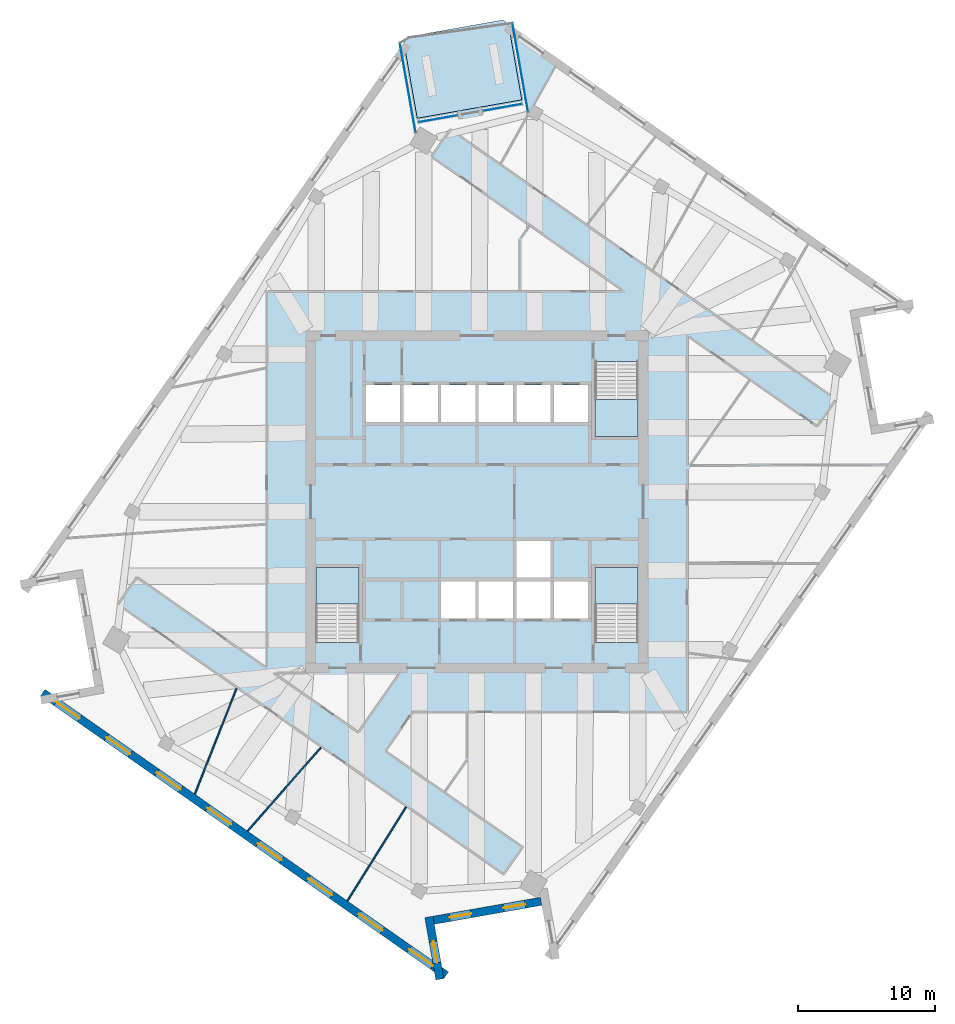
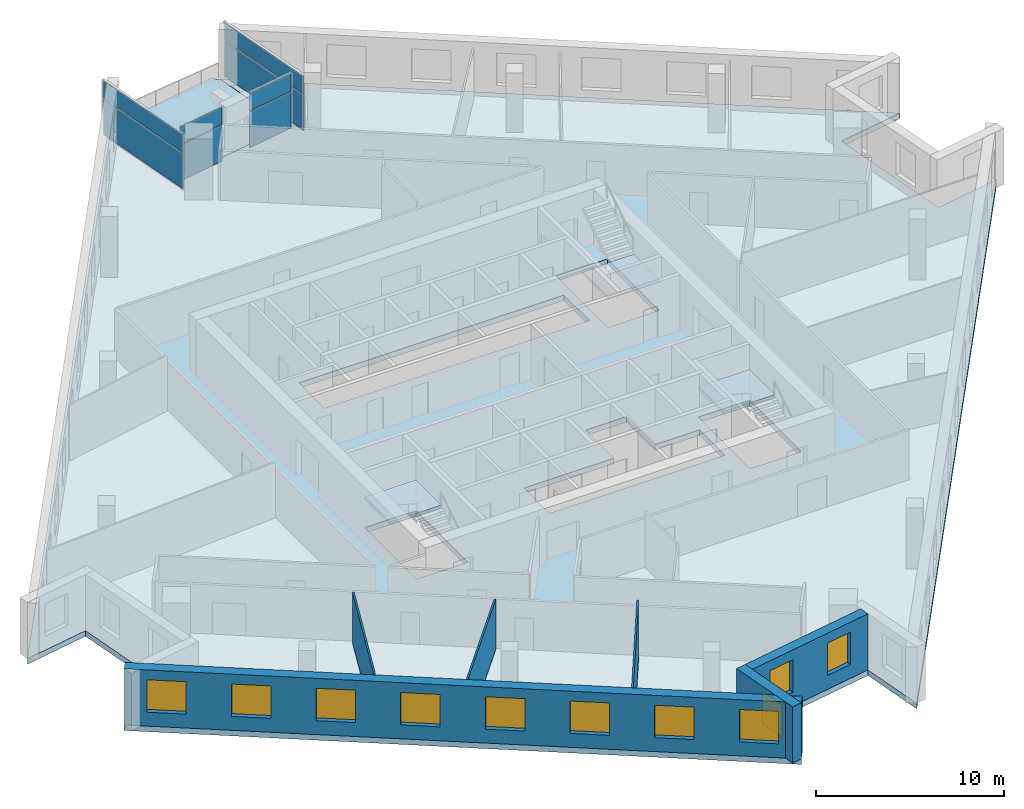
# One storey, part 5 of 13: 11 windows, 8 plates, 6 walls, 5 slabs, 11 openings, 7 elements without a shape of their own.
"""IFC4 building model written with IfcOpenShell, lengths in metres."""

from ifc_helpers import new_model, si_unit, direction, frame, frame_2d, origin, origin_2d, place, context, subcontext, project, spatial, polyline, rectangle, outline, extrude, material, layer, layer_set, type_object, element, fill, aggregate, save


model = new_model("IFC4")

# Units and contexts
model_context = context("Model", 3, precision=1e-05, world=origin(), true_north=direction((0.0, 1.0)))
body_context = subcontext(model_context, "Body", "Model", "MODEL_VIEW")
ifc_project = project(units=[si_unit("LENGTHUNIT", "METRE"), si_unit("AREAUNIT", "SQUARE_METRE"), si_unit("VOLUMEUNIT", "CUBIC_METRE"), si_unit("PLANEANGLEUNIT", "RADIAN"), si_unit("MASSUNIT", "GRAM", prefix="KILO")], contexts=[model_context])

# Site, building, storey
site_placement = place(None, origin())
site = spatial("IfcSite", under=ifc_project, at=site_placement, CompositionType="ELEMENT")
building_placement = place(site_placement, origin())
building = spatial("IfcBuilding", under=site, at=building_placement, Name="Dilmun Exchange Tower", CompositionType="ELEMENT")
storey_placement = place(building_placement, frame((0.0, 0.0, 246.89990234375)))
storey = spatial("IfcBuildingStorey", under=building, at=storey_placement, Name="L58", CompositionType="ELEMENT", Elevation=246.89990234375)

# Stair, slab
ifc_material_1 = material(Name="Concrete C40/50", Category="concrete")
stair_type = type_object("IfcStairType", Name="Exit stair 1500 half-turn", PredefinedType="HALF_TURN_STAIR", material=ifc_material_1)
stair_1_placement = place(storey_placement, origin())
stair_1 = element("IfcStair", 1, at=stair_1_placement, inside=storey, type_object=stair_type, Name="L58 Protected exit stair ST1", PredefinedType="HALF_TURN_STAIR")
ifc_layer_1 = layer(ifc_material_1, 0.199951171875)
ifc_layer_set_1 = layer_set([ifc_layer_1], Name="Concrete C40/50")
slab_type_1 = type_object("IfcSlabType", Name="Exit stair landing 200", PredefinedType="LANDING", material=ifc_layer_set_1)
slab_1_placement = place(storey_placement, frame((0.0, 0.0, 1.800048828125)))
slab_1 = element("IfcSlab", 2, at=slab_1_placement, type_object=slab_type_1, Name="ST1 landing 1", PredefinedType="LANDING", context=body_context, shape_type="SweptSolid", body=[
    extrude(outline(polyline([(8.64990234375, 7.5), (8.64990234375, 4.800048828125), (11.800048828125, 4.800048828125), (11.800048828125, 7.5), (8.64990234375, 7.5)])), origin(), (0.0, 0.0, 1.0), 0.199951171875),
])
aggregate(stair_1, [slab_1])

stair_2_placement = place(storey_placement, origin())
stair_2 = element("IfcStair", 3, at=stair_2_placement, inside=storey, type_object=stair_type, Name="L58 Protected exit stair ST2", PredefinedType="HALF_TURN_STAIR")
slab_2_placement = place(storey_placement, frame((0.0, 0.0, 1.800048828125)))
slab_2 = element("IfcSlab", 4, at=slab_2_placement, type_object=slab_type_1, Name="ST2 landing 1", PredefinedType="LANDING", context=body_context, shape_type="SweptSolid", body=[
    extrude(outline(polyline([(-8.64990234375, -7.5), (-8.64990234375, -4.800048828125), (-11.800048828125, -4.800048828125), (-11.800048828125, -7.5), (-8.64990234375, -7.5)])), origin(), (0.0, 0.0, 1.0), 0.199951171875),
])
aggregate(stair_2, [slab_2])

stair_3_placement = place(storey_placement, origin())
stair_3 = element("IfcStair", 5, at=stair_3_placement, inside=storey, type_object=stair_type, Name="L58 Protected exit stair ST3", PredefinedType="HALF_TURN_STAIR")
slab_3_placement = place(storey_placement, frame((0.0, 0.0, 1.800048828125)))
slab_3 = element("IfcSlab", 6, at=slab_3_placement, type_object=slab_type_1, Name="ST3 landing 1", PredefinedType="LANDING", context=body_context, shape_type="SweptSolid", body=[
    extrude(outline(polyline([(11.800048828125, -7.5), (11.800048828125, -4.800048828125), (8.64990234375, -4.800048828125), (8.64990234375, -7.5), (11.800048828125, -7.5)])), origin(), (0.0, 0.0, 1.0), 0.199951171875),
])
aggregate(stair_3, [slab_3])

# Curtain wall, plates
ifc_material_2 = material(Name="Anodised aluminium and clear glass", Category="aluminium")
curtain_wall_type = type_object("IfcCurtainWallType", Name="Garden corner glazing", PredefinedType="NOTDEFINED", material=ifc_material_2)
curtain_wall_1_placement = place(storey_placement, origin())
curtain_wall_1 = element("IfcCurtainWall", 7, at=curtain_wall_1_placement, inside=storey, type_object=curtain_wall_type, Name="Garden corner glazing run GC1.1", PredefinedType="NOTDEFINED")
ifc_material_3 = material(Name="Clear glass", Category="glass")
ifc_layer_2 = layer(ifc_material_3, 0.028076171875)
ifc_layer_set_2 = layer_set([ifc_layer_2], Name="Clear glass")
plate_type = type_object("IfcPlateType", Name="Garden corner glazing glass panel 28", PredefinedType="CURTAIN_PANEL", material=ifc_layer_set_2)
plate_1_placement = place(storey_placement, frame((3.170654296875, 31.797119140625, 0.06005859375), z_axis=(0.0, 0.0, 1.0), x_axis=(0.173650407466, -0.984807359836, 0.0)))
plate_1 = element("IfcPlate", 8, at=plate_1_placement, type_object=plate_type, Name="GC1.1 panel 1.1", PredefinedType="CURTAIN_PANEL", context=body_context, shape_type="SweptSolid", body=[
    extrude(rectangle(XDim=6.51806640625, YDim=0.028076171875, at=origin_2d()), origin(), (0.0, 0.0, 1.0), 2.31005859375),
])
plate_2_placement = place(storey_placement, frame((3.170654296875, 31.797119140625, 2.43017578125), z_axis=(0.0, 0.0, 1.0), x_axis=(0.173650407466, -0.984807359836, 0.0)))
plate_2 = element("IfcPlate", 9, at=plate_2_placement, type_object=plate_type, Name="GC1.1 panel 1.2", PredefinedType="CURTAIN_PANEL", context=body_context, shape_type="SweptSolid", body=[
    extrude(rectangle(XDim=6.51806640625, YDim=0.028076171875, at=origin_2d()), origin(), (0.0, 0.0, 1.0), 1.14990234375),
])
aggregate(curtain_wall_1, [plate_1, plate_2])

curtain_wall_2_placement = place(storey_placement, origin())
curtain_wall_2 = element("IfcCurtainWall", 10, at=curtain_wall_2_placement, inside=storey, type_object=curtain_wall_type, Name="Garden corner glazing run GC2.1", PredefinedType="NOTDEFINED")
plate_3_placement = place(storey_placement, frame((1.859375, 28.89794921875, 0.06005859375), z_axis=(0.0, 0.0, 1.0), x_axis=(-0.984810826993, -0.173630743351, 0.0)))
plate_3 = element("IfcPlate", 11, at=plate_3_placement, type_object=plate_type, Name="GC2.1 panel 1.1", PredefinedType="CURTAIN_PANEL", context=body_context, shape_type="SweptSolid", body=[
    extrude(rectangle(XDim=2.869140625, YDim=0.028076171875, at=origin_2d()), origin(), (0.0, 0.0, 1.0), 2.31005859375),
])
plate_4_placement = place(storey_placement, frame((1.859375, 28.89794921875, 2.43017578125), z_axis=(0.0, 0.0, 1.0), x_axis=(-0.984810826993, -0.173630743351, 0.0)))
plate_4 = element("IfcPlate", 12, at=plate_4_placement, type_object=plate_type, Name="GC2.1 panel 1.2", PredefinedType="CURTAIN_PANEL", context=body_context, shape_type="SweptSolid", body=[
    extrude(rectangle(XDim=2.869140625, YDim=0.028076171875, at=origin_2d()), origin(), (0.0, 0.0, 1.0), 1.14990234375),
])
aggregate(curtain_wall_2, [plate_3, plate_4])

curtain_wall_3_placement = place(storey_placement, origin())
curtain_wall_3 = element("IfcCurtainWall", 13, at=curtain_wall_3_placement, inside=storey, type_object=curtain_wall_type, Name="Garden corner glazing run GC2.3", PredefinedType="NOTDEFINED")
plate_5_placement = place(storey_placement, frame((-2.85693359375, 28.06640625, 0.06005859375), z_axis=(0.0, 0.0, 1.0), x_axis=(-0.984810826993, -0.173630743351, 0.0)))
plate_5 = element("IfcPlate", 14, at=plate_5_placement, type_object=plate_type, Name="GC2.3 panel 1.1", PredefinedType="CURTAIN_PANEL", context=body_context, shape_type="SweptSolid", body=[
    extrude(rectangle(XDim=2.869140625, YDim=0.028076171875, at=origin_2d()), origin(), (0.0, 0.0, 1.0), 2.31005859375),
])
plate_6_placement = place(storey_placement, frame((-2.85693359375, 28.06640625, 2.43017578125), z_axis=(0.0, 0.0, 1.0), x_axis=(-0.984810826993, -0.173630743351, 0.0)))
plate_6 = element("IfcPlate", 15, at=plate_6_placement, type_object=plate_type, Name="GC2.3 panel 1.2", PredefinedType="CURTAIN_PANEL", context=body_context, shape_type="SweptSolid", body=[
    extrude(rectangle(XDim=2.869140625, YDim=0.028076171875, at=origin_2d()), origin(), (0.0, 0.0, 1.0), 1.14990234375),
])
aggregate(curtain_wall_3, [plate_5, plate_6])

curtain_wall_4_placement = place(storey_placement, origin())
curtain_wall_4 = element("IfcCurtainWall", 16, at=curtain_wall_4_placement, inside=storey, type_object=curtain_wall_type, Name="Garden corner glazing run GC3.1", PredefinedType="NOTDEFINED")
plate_7_placement = place(storey_placement, frame((-5.07568359375, 30.315673828125, 0.06005859375), z_axis=(0.0, 0.0, 1.0), x_axis=(-0.173650646227, 0.984807317735, 0.0)))
plate_7 = element("IfcPlate", 17, at=plate_7_placement, type_object=plate_type, Name="GC3.1 panel 1.1", PredefinedType="CURTAIN_PANEL", context=body_context, shape_type="SweptSolid", body=[
    extrude(rectangle(XDim=6.572265625, YDim=0.028076171875, at=origin_2d()), origin(), (0.0, 0.0, 1.0), 2.31005859375),
])
plate_8_placement = place(storey_placement, frame((-5.07568359375, 30.315673828125, 2.43017578125), z_axis=(0.0, 0.0, 1.0), x_axis=(-0.173650646227, 0.984807317735, 0.0)))
plate_8 = element("IfcPlate", 18, at=plate_8_placement, type_object=plate_type, Name="GC3.1 panel 1.2", PredefinedType="CURTAIN_PANEL", context=body_context, shape_type="SweptSolid", body=[
    extrude(rectangle(XDim=6.572265625, YDim=0.028076171875, at=origin_2d()), origin(), (0.0, 0.0, 1.0), 1.14990234375),
])
aggregate(curtain_wall_4, [plate_7, plate_8])

# Slabs
ifc_layer_3 = layer(ifc_material_1, 0.360107421875)
ifc_layer_set_3 = layer_set([ifc_layer_3], Name="Concrete C40/50")
slab_type_2 = type_object("IfcSlabType", Name="RC floor slab 360", PredefinedType="FLOOR", material=ifc_layer_set_3)
slab_4_placement = place(storey_placement, frame((0.0, 0.0, -0.35986328125)))
element("IfcSlab", 19, at=slab_4_placement, inside=storey, type_object=slab_type_2, Name="Floor slab", PredefinedType="FLOOR", context=body_context, shape_type="SweptSolid", body=[
    extrude(outline(polyline([(28.01318359375, 13.524658203125), (29.40234375, 5.646240234375), (33.376708984375, 6.346923828125), (5.451171875, -33.534423828125), (4.75048828125, -29.560302734375), (-3.1279296875, -30.949462890625), (-2.42724609375, -34.923583984375), (-31.9873046875, -14.225341796875), (-28.01318359375, -13.524658203125), (-29.40234375, -5.646240234375), (-33.376708984375, -6.346923828125), (-5.361328125, 33.6630859375), (-4.380859375, 28.102294921875), (3.279296875, 29.452880859375), (2.298583984375, 35.013671875), (31.9873046875, 14.225341796875), (28.01318359375, 13.524658203125)]), holes=[polyline([(-8.64990234375, -4.800048828125), (-11.800048828125, -4.800048828125), (-11.800048828125, -10.294921875), (-8.64990234375, -10.294921875), (-8.64990234375, -4.800048828125)]), polyline([(11.800048828125, -4.800048828125), (8.64990234375, -4.800048828125), (8.64990234375, -10.294921875), (11.800048828125, -10.294921875), (11.800048828125, -4.800048828125)]), polyline([(2.875, -5.85009765625), (-2.625, -5.85009765625), (-2.625, -8.550048828125), (8.125, -8.550048828125), (8.125, -5.85009765625), (5.375, -5.85009765625), (5.375, -2.85009765625), (2.875, -2.85009765625), (2.875, -5.85009765625)]), polyline([(8.125, 5.85009765625), (8.125, 8.550048828125), (-8.125, 8.550048828125), (-8.125, 5.85009765625), (8.125, 5.85009765625)]), polyline([(8.64990234375, 10.294921875), (8.64990234375, 4.800048828125), (11.800048828125, 4.800048828125), (11.800048828125, 10.294921875), (8.64990234375, 10.294921875)])]), origin(), (0.0, 0.0, 1.0), 0.35986328125),
])
ifc_layer_4 = layer(ifc_material_1, 0.300048828125)
ifc_layer_set_4 = layer_set([ifc_layer_4], Name="Concrete C40/50")
slab_type_3 = type_object("IfcSlabType", Name="RC garden terrace slab 300", PredefinedType="FLOOR", material=ifc_layer_set_4)
slab_5_placement = place(storey_placement, frame((0.0, 0.0, -0.2998046875)))
element("IfcSlab", 20, at=slab_5_placement, inside=storey, type_object=slab_type_3, Name="Garden terrace slab", PredefinedType="FLOOR", context=body_context, shape_type="SweptSolid", body=[
    extrude(outline(polyline([(-4.380859375, 28.102294921875), (-5.361328125, 33.6630859375), (-5.074462890625, 34.072509765625), (1.88916015625, 35.30029296875), (2.298583984375, 35.013671875), (3.279296875, 29.452880859375), (-4.380859375, 28.102294921875)])), origin(), (0.0, 0.0, 1.0), 0.2998046875),
])

# Walls
ifc_material_4 = material(Name="Partition 100")
ifc_layer_5 = layer(ifc_material_4, 0.10009765625)
ifc_layer_set_5 = layer_set([ifc_layer_5], Name="Partition 100")
wall_type_1 = type_object("IfcWallType", Name="Partition 100", PredefinedType="PARTITIONING", material=ifc_layer_set_5)
wall_1_placement = place(storey_placement, frame((-20.6728515625, -21.4130859375, 0.0), z_axis=(0.0, 0.0, 1.0), x_axis=(0.367046287702, 0.930202678283, 0.0)))
element("IfcWall", 21, at=wall_1_placement, inside=storey, type_object=wall_type_1, Name="Partition", PredefinedType="PARTITIONING", context=body_context, shape_type="SweptSolid", body=[
    extrude(rectangle(XDim=8.321044921875, YDim=0.10009765625, at=frame_2d((4.16064453125, 0.0))), origin(), (0.0, 0.0, 1.0), 3.239990234375),
])
wall_2_placement = place(storey_placement, frame((-16.80859375, -24.118896484375, 0.0), z_axis=(0.0, 0.0, 1.0), x_axis=(0.659598527061, 0.75161810988, 0.0)))
element("IfcWall", 22, at=wall_2_placement, inside=storey, type_object=wall_type_1, Name="Partition", PredefinedType="PARTITIONING", context=body_context, shape_type="SweptSolid", body=[
    extrude(rectangle(XDim=8.147705078125, YDim=0.10009765625, at=frame_2d((4.07373046875, 0.0))), origin(), (0.0, 0.0, 1.0), 3.239990234375),
])
wall_3_placement = place(storey_placement, frame((-9.497802734375, -29.23779296875, 0.0), z_axis=(0.0, 0.0, 1.0), x_axis=(0.529739230274, 0.848160567292, 0.0)))
element("IfcWall", 23, at=wall_3_placement, inside=storey, type_object=wall_type_1, Name="Partition", PredefinedType="PARTITIONING", context=body_context, shape_type="SweptSolid", body=[
    extrude(rectangle(XDim=8.11279296875, YDim=0.10009765625, at=frame_2d((4.056396484375, 0.0))), origin(), (0.0, 0.0, 1.0), 3.64013671875),
])

# Wall, openings, windows
ifc_material_5 = material(Name="Precast concrete C50/60", Category="concrete")
ifc_layer_6 = layer(ifc_material_5, 0.60009765625)
ifc_layer_set_6 = layer_set([ifc_layer_6], Name="Precast concrete C50/60")
wall_type_2 = type_object("IfcWallType", Name="Precast stone-clad wall 600", PredefinedType="STANDARD", material=ifc_layer_set_6)
wall_4_placement = place(storey_placement, frame((-31.815185546875, -13.979736328125, 0.0), z_axis=(0.0, 0.0, 1.0), x_axis=(0.819151180661, -0.573577669737, 0.0)))
wall_4 = element("IfcWall", 24, at=wall_4_placement, inside=storey, type_object=wall_type_2, Name="Facade wall L58-07", PredefinedType="STANDARD", context=body_context, shape_type="SweptSolid", body=[
    extrude(rectangle(XDim=36.086181640625, YDim=0.60009765625, at=frame_2d((18.04296875, 0.0))), origin(), (0.0, 0.0, 1.0), 3.64013671875),
])
opening_1_placement = place(wall_4_placement, frame((1.205322265625, 0.0, 0.89990234375)))
opening_1 = element("IfcOpeningElement", 25, at=opening_1_placement, cuts=wall_4, Name="Opening W210-210", PredefinedType="OPENING", context=body_context, shape_type="SweptSolid", body=[
    extrude(rectangle(XDim=2.10009765625, YDim=2.10009765625, at=frame_2d((1.050048828125, 1.050048828125))), frame((0.0, 0.31005859375, 0.0), z_axis=(0.0, -1.0, 0.0), x_axis=(1.0, 0.0, 0.0)), (0.0, 0.0, 1.0), 0.6201171875),
])
opening_2_placement = place(wall_4_placement, frame((5.71630859375, 0.0, 0.89990234375)))
opening_2 = element("IfcOpeningElement", 26, at=opening_2_placement, cuts=wall_4, Name="Opening W210-210", PredefinedType="OPENING", context=body_context, shape_type="SweptSolid", body=[
    extrude(rectangle(XDim=2.10009765625, YDim=2.10009765625, at=frame_2d((1.050048828125, 1.050048828125))), frame((0.0, 0.31005859375, 0.0), z_axis=(0.0, -1.0, 0.0), x_axis=(1.0, 0.0, 0.0)), (0.0, 0.0, 1.0), 0.6201171875),
])
opening_3_placement = place(wall_4_placement, frame((10.22705078125, 0.0, 0.89990234375)))
opening_3 = element("IfcOpeningElement", 27, at=opening_3_placement, cuts=wall_4, Name="Opening W210-210", PredefinedType="OPENING", context=body_context, shape_type="SweptSolid", body=[
    extrude(rectangle(XDim=2.10009765625, YDim=2.10009765625, at=frame_2d((1.050048828125, 1.050048828125))), frame((0.0, 0.31005859375, 0.0), z_axis=(0.0, -1.0, 0.0), x_axis=(1.0, 0.0, 0.0)), (0.0, 0.0, 1.0), 0.6201171875),
])
opening_4_placement = place(wall_4_placement, frame((14.73779296875, 0.0, 0.89990234375)))
opening_4 = element("IfcOpeningElement", 28, at=opening_4_placement, cuts=wall_4, Name="Opening W210-210", PredefinedType="OPENING", context=body_context, shape_type="SweptSolid", body=[
    extrude(rectangle(XDim=2.10009765625, YDim=2.10009765625, at=frame_2d((1.050048828125, 1.050048828125))), frame((0.0, 0.31005859375, 0.0), z_axis=(0.0, -1.0, 0.0), x_axis=(1.0, 0.0, 0.0)), (0.0, 0.0, 1.0), 0.6201171875),
])
opening_5_placement = place(wall_4_placement, frame((19.24853515625, 0.0, 0.89990234375)))
opening_5 = element("IfcOpeningElement", 29, at=opening_5_placement, cuts=wall_4, Name="Opening W210-210", PredefinedType="OPENING", context=body_context, shape_type="SweptSolid", body=[
    extrude(rectangle(XDim=2.10009765625, YDim=2.10009765625, at=frame_2d((1.050048828125, 1.050048828125))), frame((0.0, 0.31005859375, 0.0), z_axis=(0.0, -1.0, 0.0), x_axis=(1.0, 0.0, 0.0)), (0.0, 0.0, 1.0), 0.6201171875),
])
opening_6_placement = place(wall_4_placement, frame((23.75927734375, 0.0, 0.89990234375)))
opening_6 = element("IfcOpeningElement", 30, at=opening_6_placement, cuts=wall_4, Name="Opening W210-210", PredefinedType="OPENING", context=body_context, shape_type="SweptSolid", body=[
    extrude(rectangle(XDim=2.10009765625, YDim=2.10009765625, at=frame_2d((1.050048828125, 1.050048828125))), frame((0.0, 0.31005859375, 0.0), z_axis=(0.0, -1.0, 0.0), x_axis=(1.0, 0.0, 0.0)), (0.0, 0.0, 1.0), 0.6201171875),
])
opening_7_placement = place(wall_4_placement, frame((28.27001953125, 0.0, 0.89990234375)))
opening_7 = element("IfcOpeningElement", 31, at=opening_7_placement, cuts=wall_4, Name="Opening W210-210", PredefinedType="OPENING", context=body_context, shape_type="SweptSolid", body=[
    extrude(rectangle(XDim=2.10009765625, YDim=2.10009765625, at=frame_2d((1.050048828125, 1.050048828125))), frame((0.0, 0.31005859375, 0.0), z_axis=(0.0, -1.0, 0.0), x_axis=(1.0, 0.0, 0.0)), (0.0, 0.0, 1.0), 0.6201171875),
])
opening_8_placement = place(wall_4_placement, frame((32.781005859375, 0.0, 0.89990234375)))
opening_8 = element("IfcOpeningElement", 32, at=opening_8_placement, cuts=wall_4, Name="Opening W210-210", PredefinedType="OPENING", context=body_context, shape_type="SweptSolid", body=[
    extrude(rectangle(XDim=2.10009765625, YDim=2.10009765625, at=frame_2d((1.050048828125, 1.050048828125))), frame((0.0, 0.31005859375, 0.0), z_axis=(0.0, -1.0, 0.0), x_axis=(1.0, 0.0, 0.0)), (0.0, 0.0, 1.0), 0.6201171875),
])
ifc_material_6 = material(Name="Clear low-emissivity glass in aluminium frame", Category="aluminium")
window_type_1 = type_object("IfcWindowType", Name="Punched window 2100 x 2100", PartitioningType="DOUBLE_PANEL_VERTICAL", PredefinedType="WINDOW", material=ifc_material_6)
window_1_placement = place(opening_1_placement, origin())
window_1 = element("IfcWindow", 33, at=window_1_placement, inside=storey, type_object=window_type_1, Name="Window 8.1", OverallHeight=2.10009765625, OverallWidth=2.10009765625, PartitioningType="SINGLE_PANEL", PredefinedType="WINDOW", context=body_context, shape_type="SweptSolid", body=[
    extrude(rectangle(XDim=2.10009765625, YDim=2.10009765625, at=frame_2d((1.050048828125, 1.050048828125))), frame((0.0, 0.030029296875, 0.0), z_axis=(0.0, -1.0, 0.0), x_axis=(1.0, 0.0, 0.0)), (0.0, 0.0, 1.0), 0.06005859375),
])
fill(opening_1, window_1)
window_2_placement = place(opening_2_placement, origin())
window_2 = element("IfcWindow", 34, at=window_2_placement, inside=storey, type_object=window_type_1, Name="Window 8.2", OverallHeight=2.10009765625, OverallWidth=2.10009765625, PartitioningType="SINGLE_PANEL", PredefinedType="WINDOW", context=body_context, shape_type="SweptSolid", body=[
    extrude(rectangle(XDim=2.10009765625, YDim=2.10009765625, at=frame_2d((1.050048828125, 1.050048828125))), frame((0.0, 0.030029296875, 0.0), z_axis=(0.0, -1.0, 0.0), x_axis=(1.0, 0.0, 0.0)), (0.0, 0.0, 1.0), 0.06005859375),
])
fill(opening_2, window_2)
window_3_placement = place(opening_3_placement, origin())
window_3 = element("IfcWindow", 35, at=window_3_placement, inside=storey, type_object=window_type_1, Name="Window 8.3", OverallHeight=2.10009765625, OverallWidth=2.10009765625, PartitioningType="SINGLE_PANEL", PredefinedType="WINDOW", context=body_context, shape_type="SweptSolid", body=[
    extrude(rectangle(XDim=2.10009765625, YDim=2.10009765625, at=frame_2d((1.050048828125, 1.050048828125))), frame((0.0, 0.030029296875, 0.0), z_axis=(0.0, -1.0, 0.0), x_axis=(1.0, 0.0, 0.0)), (0.0, 0.0, 1.0), 0.06005859375),
])
fill(opening_3, window_3)
window_4_placement = place(opening_4_placement, origin())
window_4 = element("IfcWindow", 36, at=window_4_placement, inside=storey, type_object=window_type_1, Name="Window 8.4", OverallHeight=2.10009765625, OverallWidth=2.10009765625, PartitioningType="SINGLE_PANEL", PredefinedType="WINDOW", context=body_context, shape_type="SweptSolid", body=[
    extrude(rectangle(XDim=2.10009765625, YDim=2.10009765625, at=frame_2d((1.050048828125, 1.050048828125))), frame((0.0, 0.030029296875, 0.0), z_axis=(0.0, -1.0, 0.0), x_axis=(1.0, 0.0, 0.0)), (0.0, 0.0, 1.0), 0.06005859375),
])
fill(opening_4, window_4)
window_5_placement = place(opening_5_placement, origin())
window_5 = element("IfcWindow", 37, at=window_5_placement, inside=storey, type_object=window_type_1, Name="Window 8.5", OverallHeight=2.10009765625, OverallWidth=2.10009765625, PartitioningType="SINGLE_PANEL", PredefinedType="WINDOW", context=body_context, shape_type="SweptSolid", body=[
    extrude(rectangle(XDim=2.10009765625, YDim=2.10009765625, at=frame_2d((1.050048828125, 1.050048828125))), frame((0.0, 0.030029296875, 0.0), z_axis=(0.0, -1.0, 0.0), x_axis=(1.0, 0.0, 0.0)), (0.0, 0.0, 1.0), 0.06005859375),
])
fill(opening_5, window_5)
window_6_placement = place(opening_6_placement, origin())
window_6 = element("IfcWindow", 38, at=window_6_placement, inside=storey, type_object=window_type_1, Name="Window 8.6", OverallHeight=2.10009765625, OverallWidth=2.10009765625, PartitioningType="SINGLE_PANEL", PredefinedType="WINDOW", context=body_context, shape_type="SweptSolid", body=[
    extrude(rectangle(XDim=2.10009765625, YDim=2.10009765625, at=frame_2d((1.050048828125, 1.050048828125))), frame((0.0, 0.030029296875, 0.0), z_axis=(0.0, -1.0, 0.0), x_axis=(1.0, 0.0, 0.0)), (0.0, 0.0, 1.0), 0.06005859375),
])
fill(opening_6, window_6)
window_7_placement = place(opening_7_placement, origin())
window_7 = element("IfcWindow", 39, at=window_7_placement, inside=storey, type_object=window_type_1, Name="Window 8.7", OverallHeight=2.10009765625, OverallWidth=2.10009765625, PartitioningType="SINGLE_PANEL", PredefinedType="WINDOW", context=body_context, shape_type="SweptSolid", body=[
    extrude(rectangle(XDim=2.10009765625, YDim=2.10009765625, at=frame_2d((1.050048828125, 1.050048828125))), frame((0.0, 0.030029296875, 0.0), z_axis=(0.0, -1.0, 0.0), x_axis=(1.0, 0.0, 0.0)), (0.0, 0.0, 1.0), 0.06005859375),
])
fill(opening_7, window_7)
window_8_placement = place(opening_8_placement, origin())
window_8 = element("IfcWindow", 40, at=window_8_placement, inside=storey, type_object=window_type_1, Name="Window 8.8", OverallHeight=2.10009765625, OverallWidth=2.10009765625, PartitioningType="SINGLE_PANEL", PredefinedType="WINDOW", context=body_context, shape_type="SweptSolid", body=[
    extrude(rectangle(XDim=2.10009765625, YDim=2.10009765625, at=frame_2d((1.050048828125, 1.050048828125))), frame((0.0, 0.030029296875, 0.0), z_axis=(0.0, -1.0, 0.0), x_axis=(1.0, 0.0, 0.0)), (0.0, 0.0, 1.0), 0.06005859375),
])
fill(opening_8, window_8)

# Wall, opening, window
wall_5_placement = place(storey_placement, frame((-2.72265625, -34.975830078125, 0.0), z_axis=(0.0, 0.0, 1.0), x_axis=(-0.173641118013, 0.984808997794, 0.0)))
wall_5 = element("IfcWall", 41, at=wall_5_placement, inside=storey, type_object=wall_type_2, Name="Facade wall L58-08", PredefinedType="STANDARD", context=body_context, shape_type="SweptSolid", body=[
    extrude(rectangle(XDim=4.635498046875, YDim=0.60009765625, at=frame_2d((2.31787109375, 0.0))), origin(), (0.0, 0.0, 1.0), 3.64013671875),
])
opening_9_placement = place(wall_5_placement, frame((1.2177734375, 0.0, 0.89990234375)))
opening_9 = element("IfcOpeningElement", 42, at=opening_9_placement, cuts=wall_5, Name="Opening W160-210", PredefinedType="OPENING", context=body_context, shape_type="SweptSolid", body=[
    extrude(rectangle(XDim=1.60009765625, YDim=2.10009765625, at=frame_2d((0.800048828125, 1.050048828125))), frame((0.0, 0.31005859375, 0.0), z_axis=(0.0, -1.0, 0.0), x_axis=(1.0, 0.0, 0.0)), (0.0, 0.0, 1.0), 0.6201171875),
])
window_type_2 = type_object("IfcWindowType", Name="Punched window 1600 x 2100", PartitioningType="DOUBLE_PANEL_VERTICAL", PredefinedType="WINDOW", material=ifc_material_6)
window_9_placement = place(opening_9_placement, origin())
window_9 = element("IfcWindow", 43, at=window_9_placement, inside=storey, type_object=window_type_2, Name="Window 9.1", OverallHeight=2.10009765625, OverallWidth=1.60009765625, PartitioningType="SINGLE_PANEL", PredefinedType="WINDOW", context=body_context, shape_type="SweptSolid", body=[
    extrude(rectangle(XDim=1.60009765625, YDim=2.10009765625, at=frame_2d((0.800048828125, 1.050048828125))), frame((0.0, 0.030029296875, 0.0), z_axis=(0.0, -1.0, 0.0), x_axis=(1.0, 0.0, 0.0)), (0.0, 0.0, 1.0), 0.06005859375),
])
fill(opening_9, window_9)

# Wall, openings, windows
wall_6_placement = place(storey_placement, frame((-3.18017578125, -30.654052734375, 0.0), z_axis=(0.0, 0.0, 1.0), x_axis=(0.98480904719, 0.173640837858, 0.0)))
wall_6 = element("IfcWall", 44, at=wall_6_placement, inside=storey, type_object=wall_type_2, Name="Facade wall L58-09", PredefinedType="STANDARD", context=body_context, shape_type="SweptSolid", body=[
    extrude(rectangle(XDim=8.000244140625, YDim=0.60009765625, at=frame_2d((4.0, 0.0))), origin(), (0.0, 0.0, 1.0), 3.64013671875),
])
opening_10_placement = place(wall_6_placement, frame((1.199951171875, 0.0, 0.89990234375)))
opening_10 = element("IfcOpeningElement", 45, at=opening_10_placement, cuts=wall_6, Name="Opening W160-210", PredefinedType="OPENING", context=body_context, shape_type="SweptSolid", body=[
    extrude(rectangle(XDim=1.60009765625, YDim=2.10009765625, at=frame_2d((0.800048828125, 1.050048828125))), frame((0.0, 0.31005859375, 0.0), z_axis=(0.0, -1.0, 0.0), x_axis=(1.0, 0.0, 0.0)), (0.0, 0.0, 1.0), 0.6201171875),
])
opening_11_placement = place(wall_6_placement, frame((5.199951171875, 0.0, 0.89990234375)))
opening_11 = element("IfcOpeningElement", 46, at=opening_11_placement, cuts=wall_6, Name="Opening W160-210", PredefinedType="OPENING", context=body_context, shape_type="SweptSolid", body=[
    extrude(rectangle(XDim=1.60009765625, YDim=2.10009765625, at=frame_2d((0.800048828125, 1.050048828125))), frame((0.0, 0.31005859375, 0.0), z_axis=(0.0, -1.0, 0.0), x_axis=(1.0, 0.0, 0.0)), (0.0, 0.0, 1.0), 0.6201171875),
])
window_10_placement = place(opening_10_placement, origin())
window_10 = element("IfcWindow", 47, at=window_10_placement, inside=storey, type_object=window_type_2, Name="Window 10.1", OverallHeight=2.10009765625, OverallWidth=1.60009765625, PartitioningType="SINGLE_PANEL", PredefinedType="WINDOW", context=body_context, shape_type="SweptSolid", body=[
    extrude(rectangle(XDim=1.60009765625, YDim=2.10009765625, at=frame_2d((0.800048828125, 1.050048828125))), frame((0.0, 0.030029296875, 0.0), z_axis=(0.0, -1.0, 0.0), x_axis=(1.0, 0.0, 0.0)), (0.0, 0.0, 1.0), 0.06005859375),
])
fill(opening_10, window_10)
window_11_placement = place(opening_11_placement, origin())
window_11 = element("IfcWindow", 48, at=window_11_placement, inside=storey, type_object=window_type_2, Name="Window 10.2", OverallHeight=2.10009765625, OverallWidth=1.60009765625, PartitioningType="SINGLE_PANEL", PredefinedType="WINDOW", context=body_context, shape_type="SweptSolid", body=[
    extrude(rectangle(XDim=1.60009765625, YDim=2.10009765625, at=frame_2d((0.800048828125, 1.050048828125))), frame((0.0, 0.030029296875, 0.0), z_axis=(0.0, -1.0, 0.0), x_axis=(1.0, 0.0, 0.0)), (0.0, 0.0, 1.0), 0.06005859375),
])
fill(opening_11, window_11)

save(model, "model.ifc")
